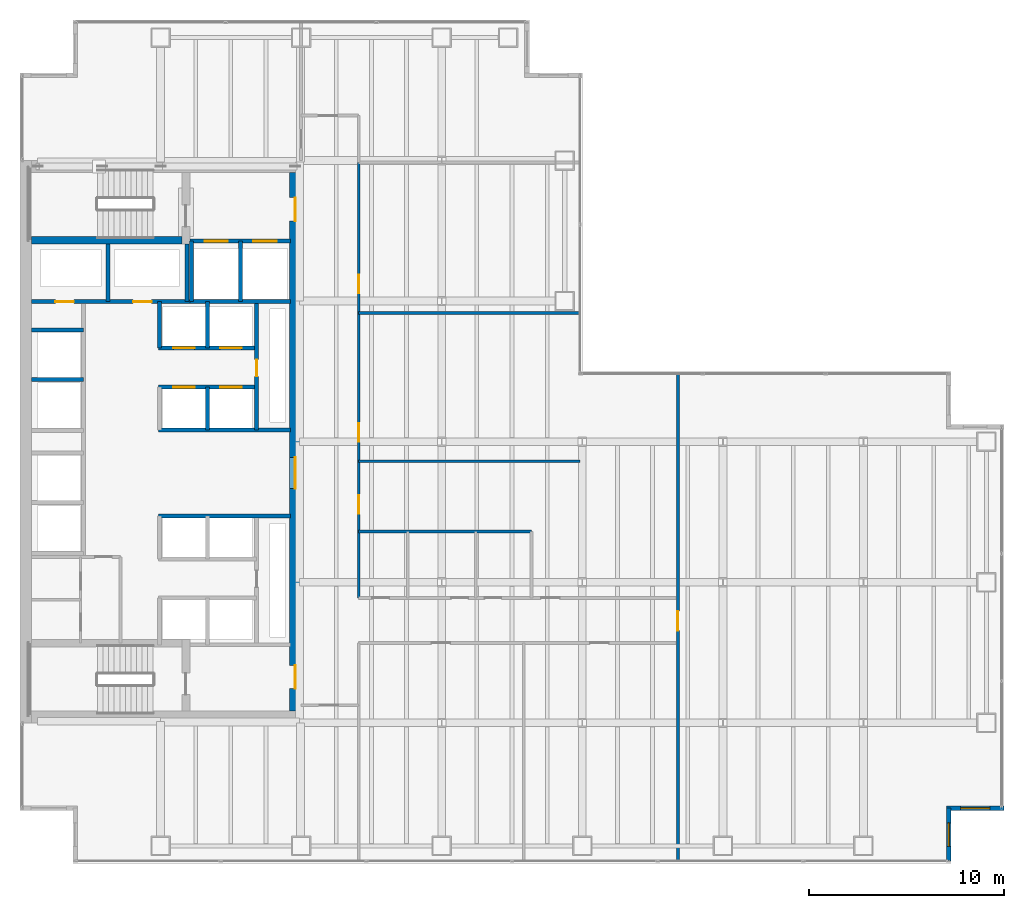
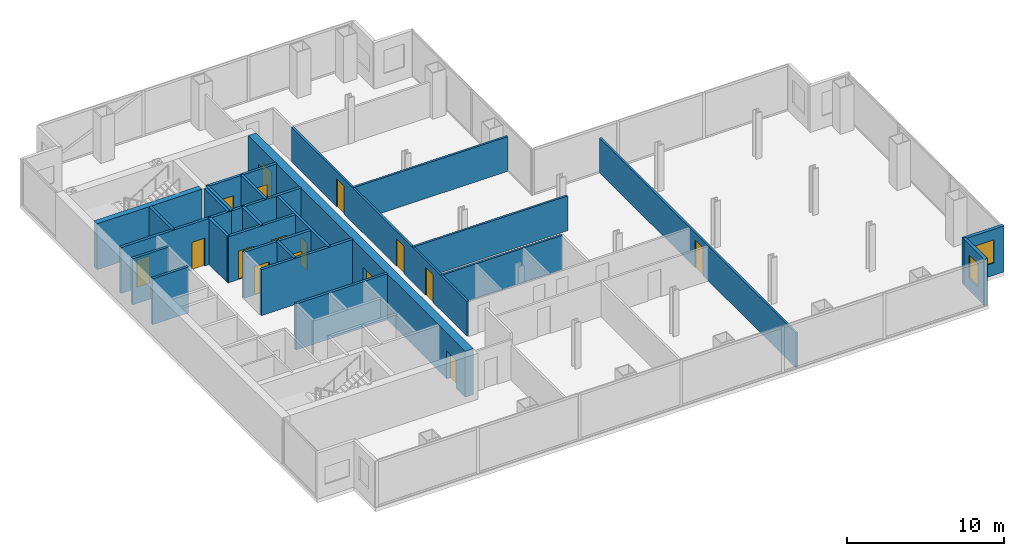
# One storey, part 21 of 23: 26 walls, 16 doors, 2 windows, 18 openings.
"""IFC4 building model written with IfcOpenShell, lengths in metres."""

from ifc_helpers import new_model, si_unit, direction, frame, frame_2d, origin, place, context, subcontext, project, spatial, rectangle, extrude, material, layer, layer_set, type_object, element, fill, save


model = new_model("IFC4")

# Units and contexts
model_context = context("Model", 3, precision=1e-05, world=origin(), true_north=direction((0.0, 1.0)))
body_context = subcontext(model_context, "Body", "Model", "MODEL_VIEW")
ifc_project = project(units=[si_unit("LENGTHUNIT", "METRE"), si_unit("AREAUNIT", "SQUARE_METRE"), si_unit("VOLUMEUNIT", "CUBIC_METRE"), si_unit("PLANEANGLEUNIT", "RADIAN"), si_unit("MASSUNIT", "GRAM", prefix="KILO")], contexts=[model_context])

# Site, building, storey
site_placement = place(None, origin())
site = spatial("IfcSite", under=ifc_project, at=site_placement, CompositionType="ELEMENT")
building_placement = place(site_placement, origin())
building = spatial("IfcBuilding", under=site, at=building_placement, Name="Cobrela Telecom Tower", CompositionType="ELEMENT")
storey_placement = place(building_placement, frame((0.0, 0.0, 65.800048828125)))
storey = spatial("IfcBuildingStorey", under=building, at=storey_placement, Name="L16", CompositionType="ELEMENT", Elevation=65.800048828125)

# Wall, openings, doors
ifc_material_1 = material(Name="Concrete C50/60", Category="concrete")
ifc_layer_1 = layer(ifc_material_1, 0.60009765625)
ifc_layer_set_1 = layer_set([ifc_layer_1], Name="Concrete C50/60")
wall_type_1 = type_object("IfcWallType", Name="WALL-CORE-C50-600", PredefinedType="SHEAR", material=ifc_layer_set_1)
wall_1_placement = place(storey_placement, frame((14.10009765625, 35.39990234375, 0.0), z_axis=(0.0, 0.0, 1.0), x_axis=(0.0, -1.0, 0.0)))
wall_1 = element("IfcWall", 1, at=wall_1_placement, inside=storey, type_object=wall_type_1, Name="L16 East Core Shear Wall", PredefinedType="SHEAR", context=body_context, shape_type="SweptSolid", body=[
    extrude(rectangle(XDim=27.599853515625, YDim=0.60009765625, at=frame_2d((13.7998046875, 0.0))), origin(), (0.0, 0.0, 1.0), 3.570068359375),
])
opening_1_placement = place(wall_1_placement, frame((1.300048828125, 0.0, 0.0)))
opening_1 = element("IfcOpeningElement", 2, at=opening_1_placement, cuts=wall_1, Name="Opening DR-19", PredefinedType="OPENING", context=body_context, shape_type="SweptSolid", body=[
    extrude(rectangle(XDim=1.199951171875, YDim=2.14990234375, at=frame_2d((0.60009765625, 1.074951171875))), frame((0.0, 0.31201171875, 0.0), z_axis=(0.0, -1.0, 0.0), x_axis=(1.0, 0.0, 0.0)), (0.0, 0.0, 1.0), 0.6240234375),
])
opening_2_placement = place(wall_1_placement, frame((25.25, 0.0, 0.0)))
opening_2 = element("IfcOpeningElement", 3, at=opening_2_placement, cuts=wall_1, Name="Opening DR-19", PredefinedType="OPENING", context=body_context, shape_type="SweptSolid", body=[
    extrude(rectangle(XDim=1.199951171875, YDim=2.14990234375, at=frame_2d((0.60009765625, 1.074951171875))), frame((0.0, 0.31201171875, 0.0), z_axis=(0.0, -1.0, 0.0), x_axis=(1.0, 0.0, 0.0)), (0.0, 0.0, 1.0), 0.6240234375),
])
opening_3_placement = place(wall_1_placement, frame((14.60009765625, 0.0, 0.0)))
opening_3 = element("IfcOpeningElement", 4, at=opening_3_placement, cuts=wall_1, Name="Opening DR-51", PredefinedType="OPENING", context=body_context, shape_type="SweptSolid", body=[
    extrude(rectangle(XDim=1.60009765625, YDim=2.199951171875, at=frame_2d((0.800048828125, 1.10009765625))), frame((0.0, 0.31201171875, 0.0), z_axis=(0.0, -1.0, 0.0), x_axis=(1.0, 0.0, 0.0)), (0.0, 0.0, 1.0), 0.6240234375),
])
ifc_material_2 = material(Name="Steel ASTM A36", Category="steel")
door_type_1 = type_object("IfcDoorType", Name="DOOR-FD60-1200", OperationType="SINGLE_SWING_LEFT", PredefinedType="DOOR", material=ifc_material_2)
door_1_placement = place(opening_1_placement, origin())
door_1 = element("IfcDoor", 5, at=door_1_placement, inside=storey, type_object=door_type_1, Name="L16 Door DR-19", OperationType="SINGLE_SWING_LEFT", OverallHeight=2.14990234375, OverallWidth=1.199951171875, PredefinedType="DOOR", context=body_context, shape_type="SweptSolid", body=[
    extrude(rectangle(XDim=1.199951171875, YDim=2.14990234375, at=frame_2d((0.60009765625, 1.074951171875))), frame((0.0, 0.02490234375, 0.0), z_axis=(0.0, -1.0, 0.0), x_axis=(1.0, 0.0, 0.0)), (0.0, 0.0, 1.0), 0.050048828125),
])
fill(opening_1, door_1)
door_2_placement = place(opening_2_placement, origin())
door_2 = element("IfcDoor", 6, at=door_2_placement, inside=storey, type_object=door_type_1, Name="L16 Door DR-19", OperationType="SINGLE_SWING_RIGHT", OverallHeight=2.14990234375, OverallWidth=1.199951171875, PredefinedType="DOOR", context=body_context, shape_type="SweptSolid", body=[
    extrude(rectangle(XDim=1.199951171875, YDim=2.14990234375, at=frame_2d((0.60009765625, 1.074951171875))), frame((0.0, 0.02490234375, 0.0), z_axis=(0.0, -1.0, 0.0), x_axis=(1.0, 0.0, 0.0)), (0.0, 0.0, 1.0), 0.050048828125),
])
fill(opening_2, door_2)
door_type_2 = type_object("IfcDoorType", Name="DOOR-FD60-1600", OperationType="SINGLE_SWING_LEFT", PredefinedType="DOOR", material=ifc_material_2)
door_3_placement = place(opening_3_placement, origin())
door_3 = element("IfcDoor", 7, at=door_3_placement, inside=storey, type_object=door_type_2, Name="L16 Door DR-51", OperationType="DOUBLE_DOOR_SINGLE_SWING", OverallHeight=2.199951171875, OverallWidth=1.60009765625, PredefinedType="DOOR", context=body_context, shape_type="SweptSolid", body=[
    extrude(rectangle(XDim=1.60009765625, YDim=2.199951171875, at=frame_2d((0.800048828125, 1.10009765625))), frame((0.0, 0.02490234375, 0.0), z_axis=(0.0, -1.0, 0.0), x_axis=(1.0, 0.0, 0.0)), (0.0, 0.0, 1.0), 0.050048828125),
])
fill(opening_3, door_3)

# Wall, opening, window
ifc_material_3 = material(Name="Concrete C40/50", Category="concrete")
ifc_layer_2 = layer(ifc_material_3, 0.239990234375)
ifc_layer_set_2 = layer_set([ifc_layer_2], Name="Concrete C40/50")
wall_type_2 = type_object("IfcWallType", Name="WALL-EXT-300", PredefinedType="STANDARD", material=ifc_layer_set_2)
wall_2_placement = place(storey_placement, frame((50.39990234375, 2.830078125, 0.0), z_axis=(0.0, 0.0, 1.0), x_axis=(-1.0, 0.0, 0.0)))
wall_2 = element("IfcWall", 8, at=wall_2_placement, inside=storey, type_object=wall_type_2, Name="L16 Insulated Facade Wall 15", PredefinedType="STANDARD", context=body_context, shape_type="SweptSolid", body=[
    extrude(rectangle(XDim=2.949951171875, YDim=0.239990234375, at=frame_2d((1.47509765625, 0.0))), origin(), (0.0, 0.0, 1.0), 3.570068359375),
])
opening_4_placement = place(wall_2_placement, frame((0.72509765625, 0.0, 0.949951171875)))
opening_4 = element("IfcOpeningElement", 9, at=opening_4_placement, cuts=wall_2, Name="Opening WN-45", PredefinedType="OPENING", context=body_context, shape_type="SweptSolid", body=[
    extrude(rectangle(XDim=1.5, YDim=1.800048828125, at=frame_2d((0.75, 0.89990234375))), frame((0.0, 0.1318359375, 0.0), z_axis=(0.0, -1.0, 0.0), x_axis=(1.0, 0.0, 0.0)), (0.0, 0.0, 1.0), 0.263916015625),
])
ifc_material_4 = material(Name="Solar-Control Bronze Low-E Glass", Category="glass")
window_type_1 = type_object("IfcWindowType", Name="WIN-MOD-1500", PartitioningType="SINGLE_PANEL", PredefinedType="WINDOW", material=ifc_material_4)
window_1_placement = place(opening_4_placement, origin())
window_1 = element("IfcWindow", 10, at=window_1_placement, inside=storey, type_object=window_type_1, Name="L16 Corner Notch Facade Window 078", OverallHeight=1.800048828125, OverallWidth=1.5, PartitioningType="SINGLE_PANEL", PredefinedType="WINDOW", context=body_context, shape_type="SweptSolid", body=[
    extrude(rectangle(XDim=1.5, YDim=1.800048828125, at=frame_2d((0.75, 0.89990234375))), frame((0.0, 0.030029296875, 0.0), z_axis=(0.0, -1.0, 0.0), x_axis=(1.0, 0.0, 0.0)), (0.0, 0.0, 1.0), 0.06005859375),
])
fill(opening_4, window_1)

wall_3_placement = place(storey_placement, frame((47.570068359375, 2.830078125, 0.0), z_axis=(0.0, 0.0, 1.0), x_axis=(0.0, -1.0, 0.0)))
wall_3 = element("IfcWall", 11, at=wall_3_placement, inside=storey, type_object=wall_type_2, Name="L16 Insulated Facade Wall 16", PredefinedType="STANDARD", context=body_context, shape_type="SweptSolid", body=[
    extrude(rectangle(XDim=2.7099609375, YDim=0.239990234375, at=frame_2d((1.35498046875, 0.0))), origin(), (0.0, 0.0, 1.0), 3.570068359375),
])
opening_5_placement = place(wall_3_placement, frame((0.7548828125, 0.0, 0.949951171875)))
opening_5 = element("IfcOpeningElement", 12, at=opening_5_placement, cuts=wall_3, Name="Opening WN-19", PredefinedType="OPENING", context=body_context, shape_type="SweptSolid", body=[
    extrude(rectangle(XDim=1.199951171875, YDim=1.800048828125, at=frame_2d((0.60009765625, 0.89990234375))), frame((0.0, 0.1318359375, 0.0), z_axis=(0.0, -1.0, 0.0), x_axis=(1.0, 0.0, 0.0)), (0.0, 0.0, 1.0), 0.263916015625),
])
window_type_2 = type_object("IfcWindowType", Name="WIN-MOD-1200", PartitioningType="SINGLE_PANEL", PredefinedType="WINDOW", material=ifc_material_4)
window_2_placement = place(opening_5_placement, origin())
window_2 = element("IfcWindow", 13, at=window_2_placement, inside=storey, type_object=window_type_2, Name="L16 Corner Notch Facade Window 079", OverallHeight=1.800048828125, OverallWidth=1.199951171875, PartitioningType="SINGLE_PANEL", PredefinedType="WINDOW", context=body_context, shape_type="SweptSolid", body=[
    extrude(rectangle(XDim=1.199951171875, YDim=1.800048828125, at=frame_2d((0.60009765625, 0.89990234375))), frame((0.0, 0.030029296875, 0.0), z_axis=(0.0, -1.0, 0.0), x_axis=(1.0, 0.0, 0.0)), (0.0, 0.0, 1.0), 0.06005859375),
])
fill(opening_5, window_2)

# Wall, openings, doors
ifc_material_5 = material(Name="Fire-Rated Gypsum Plasterboard")
ifc_layer_3 = layer(ifc_material_5, 0.14990234375)
ifc_layer_set_3 = layer_set([ifc_layer_3], Name="Fire-Rated Gypsum Plasterboard")
wall_type_3 = type_object("IfcWallType", Name="WALL-PART-150", PredefinedType="PARTITIONING", material=ifc_layer_set_3)
wall_4_placement = place(storey_placement, frame((17.35009765625, 13.60009765625, 0.0), z_axis=(0.0, 0.0, 1.0), x_axis=(0.0, 1.0, 0.0)))
wall_4 = element("IfcWall", 14, at=wall_4_placement, inside=storey, type_object=wall_type_3, Name="L16 Interior Partition W-C-E2", PredefinedType="PARTITIONING", context=body_context, shape_type="SweptSolid", body=[
    extrude(rectangle(XDim=22.2998046875, YDim=0.14990234375, at=frame_2d((11.14990234375, 0.0))), origin(), (0.0, 0.0, 1.0), 2.698974609375),
])
opening_6_placement = place(wall_4_placement, frame((4.300048828125, 0.0, 0.0)))
opening_6 = element("IfcOpeningElement", 15, at=opening_6_placement, cuts=wall_4, Name="Opening DR-67", PredefinedType="OPENING", context=body_context, shape_type="SweptSolid", body=[
    extrude(rectangle(XDim=0.949951171875, YDim=2.14990234375, at=frame_2d((0.47509765625, 1.074951171875))), frame((0.0, 0.0869140625, 0.0), z_axis=(0.0, -1.0, 0.0), x_axis=(1.0, 0.0, 0.0)), (0.0, 0.0, 1.0), 0.173828125),
])
opening_7_placement = place(wall_4_placement, frame((8.0, 0.0, 0.0)))
opening_7 = element("IfcOpeningElement", 16, at=opening_7_placement, cuts=wall_4, Name="Opening DR-67", PredefinedType="OPENING", context=body_context, shape_type="SweptSolid", body=[
    extrude(rectangle(XDim=0.949951171875, YDim=2.14990234375, at=frame_2d((0.47509765625, 1.074951171875))), frame((0.0, 0.0869140625, 0.0), z_axis=(0.0, -1.0, 0.0), x_axis=(1.0, 0.0, 0.0)), (0.0, 0.0, 1.0), 0.173828125),
])
opening_8_placement = place(wall_4_placement, frame((15.60009765625, 0.0, 0.0)))
opening_8 = element("IfcOpeningElement", 17, at=opening_8_placement, cuts=wall_4, Name="Opening DR-67", PredefinedType="OPENING", context=body_context, shape_type="SweptSolid", body=[
    extrude(rectangle(XDim=0.949951171875, YDim=2.14990234375, at=frame_2d((0.47509765625, 1.074951171875))), frame((0.0, 0.0869140625, 0.0), z_axis=(0.0, -1.0, 0.0), x_axis=(1.0, 0.0, 0.0)), (0.0, 0.0, 1.0), 0.173828125),
])
ifc_material_6 = material(Name="Solid Engineered Oak Timber", Category="wood")
door_type_3 = type_object("IfcDoorType", Name="DOOR-INT-950", OperationType="SINGLE_SWING_LEFT", PredefinedType="DOOR", material=ifc_material_6)
door_4_placement = place(opening_6_placement, origin())
door_4 = element("IfcDoor", 18, at=door_4_placement, inside=storey, type_object=door_type_3, Name="L16 Door DR-67", OperationType="SINGLE_SWING_RIGHT", OverallHeight=2.14990234375, OverallWidth=0.949951171875, PredefinedType="DOOR", context=body_context, shape_type="SweptSolid", body=[
    extrude(rectangle(XDim=0.949951171875, YDim=2.14990234375, at=frame_2d((0.47509765625, 1.074951171875))), frame((0.0, 0.02490234375, 0.0), z_axis=(0.0, -1.0, 0.0), x_axis=(1.0, 0.0, 0.0)), (0.0, 0.0, 1.0), 0.050048828125),
])
fill(opening_6, door_4)
door_5_placement = place(opening_7_placement, origin())
door_5 = element("IfcDoor", 19, at=door_5_placement, inside=storey, type_object=door_type_3, Name="L16 Door DR-67", OperationType="SINGLE_SWING_LEFT", OverallHeight=2.14990234375, OverallWidth=0.949951171875, PredefinedType="DOOR", context=body_context, shape_type="SweptSolid", body=[
    extrude(rectangle(XDim=0.949951171875, YDim=2.14990234375, at=frame_2d((0.47509765625, 1.074951171875))), frame((0.0, 0.02490234375, 0.0), z_axis=(0.0, -1.0, 0.0), x_axis=(1.0, 0.0, 0.0)), (0.0, 0.0, 1.0), 0.050048828125),
])
fill(opening_7, door_5)
door_6_placement = place(opening_8_placement, origin())
door_6 = element("IfcDoor", 20, at=door_6_placement, inside=storey, type_object=door_type_3, Name="L16 Door DR-67", OperationType="SINGLE_SWING_RIGHT", OverallHeight=2.14990234375, OverallWidth=0.949951171875, PredefinedType="DOOR", context=body_context, shape_type="SweptSolid", body=[
    extrude(rectangle(XDim=0.949951171875, YDim=2.14990234375, at=frame_2d((0.47509765625, 1.074951171875))), frame((0.0, 0.02490234375, 0.0), z_axis=(0.0, -1.0, 0.0), x_axis=(1.0, 0.0, 0.0)), (0.0, 0.0, 1.0), 0.050048828125),
])
fill(opening_8, door_6)

# Wall, opening, door
wall_5_placement = place(storey_placement, frame((33.699951171875, 0.1201171875, 0.0), z_axis=(0.0, 0.0, 1.0), x_axis=(0.0, 1.0, 0.0)))
wall_5 = element("IfcWall", 21, at=wall_5_placement, inside=storey, type_object=wall_type_3, Name="L16 Interior Partition W-C-END", PredefinedType="PARTITIONING", context=body_context, shape_type="SweptSolid", body=[
    extrude(rectangle(XDim=24.9599609375, YDim=0.14990234375, at=frame_2d((12.47998046875, 0.0))), origin(), (0.0, 0.0, 1.0), 2.698974609375),
])
opening_9_placement = place(wall_5_placement, frame((11.800048828125, 0.0, 0.0)))
opening_9 = element("IfcOpeningElement", 22, at=opening_9_placement, cuts=wall_5, Name="Opening DR-31", PredefinedType="OPENING", context=body_context, shape_type="SweptSolid", body=[
    extrude(rectangle(XDim=1.0, YDim=2.14990234375, at=frame_2d((0.5, 1.074951171875))), frame((0.0, 0.0869140625, 0.0), z_axis=(0.0, -1.0, 0.0), x_axis=(1.0, 0.0, 0.0)), (0.0, 0.0, 1.0), 0.173828125),
])
door_type_4 = type_object("IfcDoorType", Name="DOOR-INT-1000", OperationType="SINGLE_SWING_LEFT", PredefinedType="DOOR", material=ifc_material_6)
door_7_placement = place(opening_9_placement, origin())
door_7 = element("IfcDoor", 23, at=door_7_placement, inside=storey, type_object=door_type_4, Name="L16 Door DR-31", OperationType="SINGLE_SWING_LEFT", OverallHeight=2.14990234375, OverallWidth=1.0, PredefinedType="DOOR", context=body_context, shape_type="SweptSolid", body=[
    extrude(rectangle(XDim=1.0, YDim=2.14990234375, at=frame_2d((0.5, 1.074951171875))), frame((0.0, 0.02490234375, 0.0), z_axis=(0.0, -1.0, 0.0), x_axis=(1.0, 0.0, 0.0)), (0.0, 0.0, 1.0), 0.050048828125),
])
fill(opening_9, door_7)

# Walls
wall_6_placement = place(storey_placement, frame((17.35009765625, 17.0, 0.0), z_axis=(0.0, 0.0, 1.0), x_axis=(1.0, 0.0, 0.0)))
element("IfcWall", 24, at=wall_6_placement, inside=storey, type_object=wall_type_3, Name="L16 Interior Partition W-WC-N", PredefinedType="PARTITIONING", context=body_context, shape_type="SweptSolid", body=[
    extrude(rectangle(XDim=8.849853515625, YDim=0.14990234375, at=frame_2d((4.4248046875, 0.0))), origin(), (0.0, 0.0, 1.0), 2.698974609375),
])
for number, where, z_axis, x_axis, name in (
    (25, (17.35009765625, 20.60009765625, 0.0), (0.0, 0.0, 1.0), (1.0, 0.0, 0.0), "L16 Interior Partition W-NPAN-T"),
    (26, (17.35009765625, 28.199951171875, 0.0), (0.0, 0.0, 1.0), (1.0, 0.0, 0.0), "L16 Interior Partition W-NT-M"),
):
    element("IfcWall", number, at=place(storey_placement, frame(where, z_axis=z_axis, x_axis=x_axis)), inside=storey, type_object=wall_type_3, Name=name, PredefinedType="PARTITIONING", context=body_context, shape_type="SweptSolid", body=[
        extrude(rectangle(XDim=11.329833984375, YDim=0.14990234375, at=frame_2d((5.6650390625, 0.0))), origin(), (0.0, 0.0, 1.0), 2.698974609375),
    ])

# Wall, openings, doors
ifc_layer_4 = layer(ifc_material_5, 0.199951171875)
ifc_layer_set_4 = layer_set([ifc_layer_4], Name="Fire-Rated Gypsum Plasterboard")
wall_type_4 = type_object("IfcWallType", Name="WALL-SHAFT-200", PredefinedType="PARTITIONING", material=ifc_layer_set_4)
wall_7_placement = place(storey_placement, frame((8.699951171875, 31.8798828125, 0.0), z_axis=(0.0, 0.0, 1.0), x_axis=(1.0, 0.0, 0.0)))
wall_7 = element("IfcWall", 27, at=wall_7_placement, inside=storey, type_object=wall_type_4, Name="L16 Shaft Enclosure CW-FFL-S", PredefinedType="PARTITIONING", context=body_context, shape_type="SweptSolid", body=[
    extrude(rectangle(XDim=5.150146484375, YDim=0.199951171875, at=frame_2d((2.5751953125, 0.0))), origin(), (0.0, 0.0, 1.0), 3.570068359375),
])
opening_10_placement = place(wall_7_placement, frame((0.75, 0.0, 0.0)))
opening_10 = element("IfcOpeningElement", 28, at=opening_10_placement, cuts=wall_7, Name="Opening LD-2", PredefinedType="OPENING", context=body_context, shape_type="SweptSolid", body=[
    extrude(rectangle(XDim=1.199951171875, YDim=2.199951171875, at=frame_2d((0.60009765625, 1.10009765625))), frame((0.0, 0.11181640625, 0.0), z_axis=(0.0, -1.0, 0.0), x_axis=(1.0, 0.0, 0.0)), (0.0, 0.0, 1.0), 0.223876953125),
])
opening_11_placement = place(wall_7_placement, frame((3.25, 0.0, 0.0)))
opening_11 = element("IfcOpeningElement", 29, at=opening_11_placement, cuts=wall_7, Name="Opening LD-2", PredefinedType="OPENING", context=body_context, shape_type="SweptSolid", body=[
    extrude(rectangle(XDim=1.199951171875, YDim=2.199951171875, at=frame_2d((0.60009765625, 1.10009765625))), frame((0.0, 0.11181640625, 0.0), z_axis=(0.0, -1.0, 0.0), x_axis=(1.0, 0.0, 0.0)), (0.0, 0.0, 1.0), 0.223876953125),
])
door_type_5 = type_object("IfcDoorType", Name="DOOR-LD-FFL", OperationType="SINGLE_SWING_LEFT", PredefinedType="DOOR", material=ifc_material_2)
door_8_placement = place(opening_10_placement, origin())
door_8 = element("IfcDoor", 30, at=door_8_placement, inside=storey, type_object=door_type_5, Name="L16 Lift Landing Door LD-2", OperationType="DOUBLE_DOOR_SLIDING", OverallHeight=2.199951171875, OverallWidth=1.199951171875, PredefinedType="DOOR", context=body_context, shape_type="SweptSolid", body=[
    extrude(rectangle(XDim=1.199951171875, YDim=2.199951171875, at=frame_2d((0.60009765625, 1.10009765625))), frame((0.0, 0.02490234375, 0.0), z_axis=(0.0, -1.0, 0.0), x_axis=(1.0, 0.0, 0.0)), (0.0, 0.0, 1.0), 0.050048828125),
])
fill(opening_10, door_8)
door_9_placement = place(opening_11_placement, origin())
door_9 = element("IfcDoor", 31, at=door_9_placement, inside=storey, type_object=door_type_5, Name="L16 Lift Landing Door LD-2", OperationType="DOUBLE_DOOR_SLIDING", OverallHeight=2.199951171875, OverallWidth=1.199951171875, PredefinedType="DOOR", context=body_context, shape_type="SweptSolid", body=[
    extrude(rectangle(XDim=1.199951171875, YDim=2.199951171875, at=frame_2d((0.60009765625, 1.10009765625))), frame((0.0, 0.02490234375, 0.0), z_axis=(0.0, -1.0, 0.0), x_axis=(1.0, 0.0, 0.0)), (0.0, 0.0, 1.0), 0.050048828125),
])
fill(opening_11, door_9)

# Walls
wall_8_placement = place(storey_placement, frame((8.699951171875, 28.780029296875, 0.0), z_axis=(0.0, 0.0, 1.0), x_axis=(1.0, 0.0, 0.0)))
element("IfcWall", 32, at=wall_8_placement, inside=storey, type_object=wall_type_4, Name="L16 Shaft Enclosure CW-FFL-S2", PredefinedType="PARTITIONING", context=body_context, shape_type="SweptSolid", body=[
    extrude(rectangle(XDim=5.150146484375, YDim=0.199951171875, at=frame_2d((2.5751953125, 0.0))), origin(), (0.0, 0.0, 1.0), 3.570068359375),
])
for number, where, z_axis, x_axis, name in (
    (33, (8.780029296875, 28.780029296875, 0.0), (0.0, 0.0, 1.0), (0.0, 1.0, 0.0), "L16 Shaft Enclosure CW-FFL-W"),
    (34, (11.300048828125, 28.780029296875, 0.0), (0.0, 0.0, 1.0), (0.0, 1.0, 0.0), "L16 Shaft Enclosure CW-FFL-M"),
):
    element("IfcWall", number, at=place(storey_placement, frame(where, z_axis=z_axis, x_axis=x_axis)), inside=storey, type_object=wall_type_4, Name=name, PredefinedType="PARTITIONING", context=body_context, shape_type="SweptSolid", body=[
        extrude(rectangle(XDim=3.099853515625, YDim=0.199951171875, at=frame_2d((1.5498046875, 0.0))), origin(), (0.0, 0.0, 1.0), 3.570068359375),
    ])

# Wall, openings, doors
wall_9_placement = place(storey_placement, frame((0.60009765625, 28.780029296875, 0.0), z_axis=(0.0, 0.0, 1.0), x_axis=(1.0, 0.0, 0.0)))
wall_9 = element("IfcWall", 35, at=wall_9_placement, inside=storey, type_object=wall_type_4, Name="L16 Shaft Enclosure CW-RIS-S", PredefinedType="PARTITIONING", context=body_context, shape_type="SweptSolid", body=[
    extrude(rectangle(XDim=8.179931640625, YDim=0.199951171875, at=frame_2d((4.08984375, 0.0))), origin(), (0.0, 0.0, 1.0), 3.570068359375),
])
opening_12_placement = place(wall_9_placement, frame((1.2099609375, 0.0, 0.0)))
opening_12 = element("IfcOpeningElement", 36, at=opening_12_placement, cuts=wall_9, Name="Opening DR-65", PredefinedType="OPENING", context=body_context, shape_type="SweptSolid", body=[
    extrude(rectangle(XDim=0.949951171875, YDim=2.14990234375, at=frame_2d((0.47509765625, 1.074951171875))), frame((0.0, 0.11181640625, 0.0), z_axis=(0.0, -1.0, 0.0), x_axis=(1.0, 0.0, 0.0)), (0.0, 0.0, 1.0), 0.223876953125),
])
opening_13_placement = place(wall_9_placement, frame((5.18994140625, 0.0, 0.0)))
opening_13 = element("IfcOpeningElement", 37, at=opening_13_placement, cuts=wall_9, Name="Opening DR-65", PredefinedType="OPENING", context=body_context, shape_type="SweptSolid", body=[
    extrude(rectangle(XDim=0.949951171875, YDim=2.14990234375, at=frame_2d((0.47509765625, 1.074951171875))), frame((0.0, 0.11181640625, 0.0), z_axis=(0.0, -1.0, 0.0), x_axis=(1.0, 0.0, 0.0)), (0.0, 0.0, 1.0), 0.223876953125),
])
door_type_6 = type_object("IfcDoorType", Name="DOOR-FD60-950", OperationType="SINGLE_SWING_LEFT", PredefinedType="DOOR", material=ifc_material_2)
door_10_placement = place(opening_12_placement, origin())
door_10 = element("IfcDoor", 38, at=door_10_placement, inside=storey, type_object=door_type_6, Name="L16 Door DR-65", OperationType="SINGLE_SWING_LEFT", OverallHeight=2.14990234375, OverallWidth=0.949951171875, PredefinedType="DOOR", context=body_context, shape_type="SweptSolid", body=[
    extrude(rectangle(XDim=0.949951171875, YDim=2.14990234375, at=frame_2d((0.47509765625, 1.074951171875))), frame((0.0, 0.02490234375, 0.0), z_axis=(0.0, -1.0, 0.0), x_axis=(1.0, 0.0, 0.0)), (0.0, 0.0, 1.0), 0.050048828125),
])
fill(opening_12, door_10)
door_11_placement = place(opening_13_placement, origin())
door_11 = element("IfcDoor", 39, at=door_11_placement, inside=storey, type_object=door_type_6, Name="L16 Door DR-65", OperationType="SINGLE_SWING_RIGHT", OverallHeight=2.14990234375, OverallWidth=0.949951171875, PredefinedType="DOOR", context=body_context, shape_type="SweptSolid", body=[
    extrude(rectangle(XDim=0.949951171875, YDim=2.14990234375, at=frame_2d((0.47509765625, 1.074951171875))), frame((0.0, 0.02490234375, 0.0), z_axis=(0.0, -1.0, 0.0), x_axis=(1.0, 0.0, 0.0)), (0.0, 0.0, 1.0), 0.050048828125),
])
fill(opening_13, door_11)

# Walls
for number, where, z_axis, x_axis, name in (
    (40, (4.5, 28.780029296875, 0.0), (0.0, 0.0, 1.0), (0.0, 1.0, 0.0), "L16 Shaft Enclosure CW-RIS-M"),
    (41, (8.550048828125, 28.780029296875, 0.0), (0.0, 0.0, 1.0), (0.0, 1.0, 0.0), "L16 Shaft Enclosure CW-RIS-E"),
):
    element("IfcWall", number, at=place(storey_placement, frame(where, z_axis=z_axis, x_axis=x_axis)), inside=storey, type_object=wall_type_4, Name=name, PredefinedType="PARTITIONING", context=body_context, shape_type="SweptSolid", body=[
        extrude(rectangle(XDim=2.93994140625, YDim=0.199951171875, at=frame_2d((1.469970703125, 0.0))), origin(), (0.0, 0.0, 1.0), 3.570068359375),
    ])
for number, where, z_axis, x_axis, name in (
    (42, (0.60009765625, 24.780029296875, 0.0), (0.0, 0.0, 1.0), (1.0, 0.0, 0.0), "L16 Shaft Enclosure CW-PLH-D12"),
    (43, (0.60009765625, 27.320068359375, 0.0), (0.0, 0.0, 1.0), (1.0, 0.0, 0.0), "L16 Shaft Enclosure CW-PLH-TOP"),
):
    element("IfcWall", number, at=place(storey_placement, frame(where, z_axis=z_axis, x_axis=x_axis)), inside=storey, type_object=wall_type_4, Name=name, PredefinedType="PARTITIONING", context=body_context, shape_type="SweptSolid", body=[
        extrude(rectangle(XDim=2.64990234375, YDim=0.199951171875, at=frame_2d((1.324951171875, 0.0))), origin(), (0.0, 0.0, 1.0), 3.570068359375),
    ])
wall_10_placement = place(storey_placement, frame((7.10009765625, 22.199951171875, 0.0), z_axis=(0.0, 0.0, 1.0), x_axis=(1.0, 0.0, 0.0)))
element("IfcWall", 44, at=wall_10_placement, inside=storey, type_object=wall_type_4, Name="L16 Shaft Enclosure CW-PLL-B0", PredefinedType="PARTITIONING", context=body_context, shape_type="SweptSolid", body=[
    extrude(rectangle(XDim=6.75, YDim=0.199951171875, at=frame_2d((3.375, 0.0))), origin(), (0.0, 0.0, 1.0), 3.570068359375),
])

# Wall, openings, doors
wall_11_placement = place(storey_placement, frame((7.10009765625, 24.39990234375, 0.0), z_axis=(0.0, 0.0, 1.0), x_axis=(1.0, 0.0, 0.0)))
wall_11 = element("IfcWall", 45, at=wall_11_placement, inside=storey, type_object=wall_type_4, Name="L16 Shaft Enclosure CW-PLL-S", PredefinedType="PARTITIONING", context=body_context, shape_type="SweptSolid", body=[
    extrude(rectangle(XDim=5.02001953125, YDim=0.199951171875, at=frame_2d((2.510009765625, 0.0))), origin(), (0.0, 0.0, 1.0), 3.570068359375),
])
opening_14_placement = place(wall_11_placement, frame((0.75, 0.0, 0.0)))
opening_14 = element("IfcOpeningElement", 46, at=opening_14_placement, cuts=wall_11, Name="Opening LD-1", PredefinedType="OPENING", context=body_context, shape_type="SweptSolid", body=[
    extrude(rectangle(XDim=1.10009765625, YDim=2.199951171875, at=frame_2d((0.550048828125, 1.10009765625))), frame((0.0, 0.11181640625, 0.0), z_axis=(0.0, -1.0, 0.0), x_axis=(1.0, 0.0, 0.0)), (0.0, 0.0, 1.0), 0.223876953125),
])
opening_15_placement = place(wall_11_placement, frame((3.14990234375, 0.0, 0.0)))
opening_15 = element("IfcOpeningElement", 47, at=opening_15_placement, cuts=wall_11, Name="Opening LD-1", PredefinedType="OPENING", context=body_context, shape_type="SweptSolid", body=[
    extrude(rectangle(XDim=1.10009765625, YDim=2.199951171875, at=frame_2d((0.550048828125, 1.10009765625))), frame((0.0, 0.11181640625, 0.0), z_axis=(0.0, -1.0, 0.0), x_axis=(1.0, 0.0, 0.0)), (0.0, 0.0, 1.0), 0.223876953125),
])
door_type_7 = type_object("IfcDoorType", Name="DOOR-LD-PL", OperationType="SINGLE_SWING_LEFT", PredefinedType="DOOR", material=ifc_material_2)
door_12_placement = place(opening_14_placement, origin())
door_12 = element("IfcDoor", 48, at=door_12_placement, inside=storey, type_object=door_type_7, Name="L16 Lift Landing Door LD-1", OperationType="DOUBLE_DOOR_SLIDING", OverallHeight=2.199951171875, OverallWidth=1.10009765625, PredefinedType="DOOR", context=body_context, shape_type="SweptSolid", body=[
    extrude(rectangle(XDim=1.10009765625, YDim=2.199951171875, at=frame_2d((0.550048828125, 1.10009765625))), frame((0.0, 0.02490234375, 0.0), z_axis=(0.0, -1.0, 0.0), x_axis=(1.0, 0.0, 0.0)), (0.0, 0.0, 1.0), 0.050048828125),
])
fill(opening_14, door_12)
door_13_placement = place(opening_15_placement, origin())
door_13 = element("IfcDoor", 49, at=door_13_placement, inside=storey, type_object=door_type_7, Name="L16 Lift Landing Door LD-1", OperationType="DOUBLE_DOOR_SLIDING", OverallHeight=2.199951171875, OverallWidth=1.10009765625, PredefinedType="DOOR", context=body_context, shape_type="SweptSolid", body=[
    extrude(rectangle(XDim=1.10009765625, YDim=2.199951171875, at=frame_2d((0.550048828125, 1.10009765625))), frame((0.0, 0.02490234375, 0.0), z_axis=(0.0, -1.0, 0.0), x_axis=(1.0, 0.0, 0.0)), (0.0, 0.0, 1.0), 0.050048828125),
])
fill(opening_15, door_13)

wall_12_placement = place(storey_placement, frame((7.10009765625, 26.39990234375, 0.0), z_axis=(0.0, 0.0, 1.0), x_axis=(1.0, 0.0, 0.0)))
wall_12 = element("IfcWall", 50, at=wall_12_placement, inside=storey, type_object=wall_type_4, Name="L16 Shaft Enclosure CW-PLL-N", PredefinedType="PARTITIONING", context=body_context, shape_type="SweptSolid", body=[
    extrude(rectangle(XDim=5.02001953125, YDim=0.199951171875, at=frame_2d((2.510009765625, 0.0))), origin(), (0.0, 0.0, 1.0), 3.570068359375),
])
opening_16_placement = place(wall_12_placement, frame((0.75, 0.0, 0.0)))
opening_16 = element("IfcOpeningElement", 51, at=opening_16_placement, cuts=wall_12, Name="Opening LD-1", PredefinedType="OPENING", context=body_context, shape_type="SweptSolid", body=[
    extrude(rectangle(XDim=1.10009765625, YDim=2.199951171875, at=frame_2d((0.550048828125, 1.10009765625))), frame((0.0, 0.11181640625, 0.0), z_axis=(0.0, -1.0, 0.0), x_axis=(1.0, 0.0, 0.0)), (0.0, 0.0, 1.0), 0.223876953125),
])
opening_17_placement = place(wall_12_placement, frame((3.14990234375, 0.0, 0.0)))
opening_17 = element("IfcOpeningElement", 52, at=opening_17_placement, cuts=wall_12, Name="Opening LD-1", PredefinedType="OPENING", context=body_context, shape_type="SweptSolid", body=[
    extrude(rectangle(XDim=1.10009765625, YDim=2.199951171875, at=frame_2d((0.550048828125, 1.10009765625))), frame((0.0, 0.11181640625, 0.0), z_axis=(0.0, -1.0, 0.0), x_axis=(1.0, 0.0, 0.0)), (0.0, 0.0, 1.0), 0.223876953125),
])
door_14_placement = place(opening_16_placement, origin())
door_14 = element("IfcDoor", 53, at=door_14_placement, inside=storey, type_object=door_type_7, Name="L16 Lift Landing Door LD-1", OperationType="DOUBLE_DOOR_SLIDING", OverallHeight=2.199951171875, OverallWidth=1.10009765625, PredefinedType="DOOR", context=body_context, shape_type="SweptSolid", body=[
    extrude(rectangle(XDim=1.10009765625, YDim=2.199951171875, at=frame_2d((0.550048828125, 1.10009765625))), frame((0.0, 0.02490234375, 0.0), z_axis=(0.0, -1.0, 0.0), x_axis=(1.0, 0.0, 0.0)), (0.0, 0.0, 1.0), 0.050048828125),
])
fill(opening_16, door_14)
door_15_placement = place(opening_17_placement, origin())
door_15 = element("IfcDoor", 54, at=door_15_placement, inside=storey, type_object=door_type_7, Name="L16 Lift Landing Door LD-1", OperationType="DOUBLE_DOOR_SLIDING", OverallHeight=2.199951171875, OverallWidth=1.10009765625, PredefinedType="DOOR", context=body_context, shape_type="SweptSolid", body=[
    extrude(rectangle(XDim=1.10009765625, YDim=2.199951171875, at=frame_2d((0.550048828125, 1.10009765625))), frame((0.0, 0.02490234375, 0.0), z_axis=(0.0, -1.0, 0.0), x_axis=(1.0, 0.0, 0.0)), (0.0, 0.0, 1.0), 0.050048828125),
])
fill(opening_17, door_15)

# Walls
wall_13_placement = place(storey_placement, frame((7.14990234375, 26.39990234375, 0.0), z_axis=(0.0, 0.0, 1.0), x_axis=(0.0, 1.0, 0.0)))
element("IfcWall", 55, at=wall_13_placement, inside=storey, type_object=wall_type_4, Name="L16 Shaft Enclosure CW-PLL-V1B", PredefinedType="PARTITIONING", context=body_context, shape_type="SweptSolid", body=[
    extrude(rectangle(XDim=2.380126953125, YDim=0.199951171875, at=frame_2d((1.18994140625, 0.0))), origin(), (0.0, 0.0, 1.0), 3.570068359375),
])
wall_14_placement = place(storey_placement, frame((9.60009765625, 22.199951171875, 0.0), z_axis=(0.0, 0.0, 1.0), x_axis=(0.0, 1.0, 0.0)))
element("IfcWall", 56, at=wall_14_placement, inside=storey, type_object=wall_type_4, Name="L16 Shaft Enclosure CW-PLL-V2", PredefinedType="PARTITIONING", context=body_context, shape_type="SweptSolid", body=[
    extrude(rectangle(XDim=2.199951171875, YDim=0.199951171875, at=frame_2d((1.10009765625, 0.0))), origin(), (0.0, 0.0, 1.0), 3.570068359375),
])
wall_15_placement = place(storey_placement, frame((9.60009765625, 26.39990234375, 0.0), z_axis=(0.0, 0.0, 1.0), x_axis=(0.0, 1.0, 0.0)))
element("IfcWall", 57, at=wall_15_placement, inside=storey, type_object=wall_type_4, Name="L16 Shaft Enclosure CW-PLL-V2B", PredefinedType="PARTITIONING", context=body_context, shape_type="SweptSolid", body=[
    extrude(rectangle(XDim=2.380126953125, YDim=0.199951171875, at=frame_2d((1.18994140625, 0.0))), origin(), (0.0, 0.0, 1.0), 3.570068359375),
])

# Wall, opening, door
wall_16_placement = place(storey_placement, frame((12.1201171875, 22.199951171875, 0.0), z_axis=(0.0, 0.0, 1.0), x_axis=(0.0, 1.0, 0.0)))
wall_16 = element("IfcWall", 58, at=wall_16_placement, inside=storey, type_object=wall_type_4, Name="L16 Shaft Enclosure CW-PLL-V3", PredefinedType="PARTITIONING", context=body_context, shape_type="SweptSolid", body=[
    extrude(rectangle(XDim=6.580078125, YDim=0.199951171875, at=frame_2d((3.2900390625, 0.0))), origin(), (0.0, 0.0, 1.0), 3.570068359375),
])
opening_18_placement = place(wall_16_placement, frame((2.75, 0.0, 0.0)))
opening_18 = element("IfcOpeningElement", 59, at=opening_18_placement, cuts=wall_16, Name="Opening DR-11", PredefinedType="OPENING", context=body_context, shape_type="SweptSolid", body=[
    extrude(rectangle(XDim=0.85009765625, YDim=2.14990234375, at=frame_2d((0.425048828125, 1.074951171875))), frame((0.0, 0.11181640625, 0.0), z_axis=(0.0, -1.0, 0.0), x_axis=(1.0, 0.0, 0.0)), (0.0, 0.0, 1.0), 0.223876953125),
])
door_type_8 = type_object("IfcDoorType", Name="DOOR-INT-850", OperationType="SINGLE_SWING_LEFT", PredefinedType="DOOR", material=ifc_material_6)
door_16_placement = place(opening_18_placement, origin())
door_16 = element("IfcDoor", 60, at=door_16_placement, inside=storey, type_object=door_type_8, Name="L16 Door DR-11", OperationType="SINGLE_SWING_LEFT", OverallHeight=2.14990234375, OverallWidth=0.85009765625, PredefinedType="DOOR", context=body_context, shape_type="SweptSolid", body=[
    extrude(rectangle(XDim=0.85009765625, YDim=2.14990234375, at=frame_2d((0.425048828125, 1.074951171875))), frame((0.0, 0.02490234375, 0.0), z_axis=(0.0, -1.0, 0.0), x_axis=(1.0, 0.0, 0.0)), (0.0, 0.0, 1.0), 0.050048828125),
])
fill(opening_18, door_16)

# Walls
wall_17_placement = place(storey_placement, frame((7.10009765625, 17.800048828125, 0.0), z_axis=(0.0, 0.0, 1.0), x_axis=(1.0, 0.0, 0.0)))
element("IfcWall", 61, at=wall_17_placement, inside=storey, type_object=wall_type_4, Name="L16 Shaft Enclosure CW-PLM-T0", PredefinedType="PARTITIONING", context=body_context, shape_type="SweptSolid", body=[
    extrude(rectangle(XDim=6.75, YDim=0.199951171875, at=frame_2d((3.375, 0.0))), origin(), (0.0, 0.0, 1.0), 3.570068359375),
])
ifc_layer_5 = layer(ifc_material_3, 0.39990234375)
ifc_layer_set_5 = layer_set([ifc_layer_5], Name="Concrete C40/50")
wall_type_5 = type_object("IfcWallType", Name="WALL-SHAFT-C40-400", PredefinedType="SHEAR", material=ifc_layer_set_5)
wall_18_placement = place(storey_placement, frame((0.60009765625, 31.919921875, 0.0), z_axis=(0.0, 0.0, 1.0), x_axis=(1.0, 0.0, 0.0)))
element("IfcWall", 62, at=wall_18_placement, inside=storey, type_object=wall_type_5, Name="L16 North Stair Shear Wall", PredefinedType="SHEAR", context=body_context, shape_type="SweptSolid", body=[
    extrude(rectangle(XDim=7.699951171875, YDim=0.39990234375, at=frame_2d((3.85009765625, 0.0))), origin(), (0.0, 0.0, 1.0), 3.570068359375),
])

save(model, "model.ifc")
